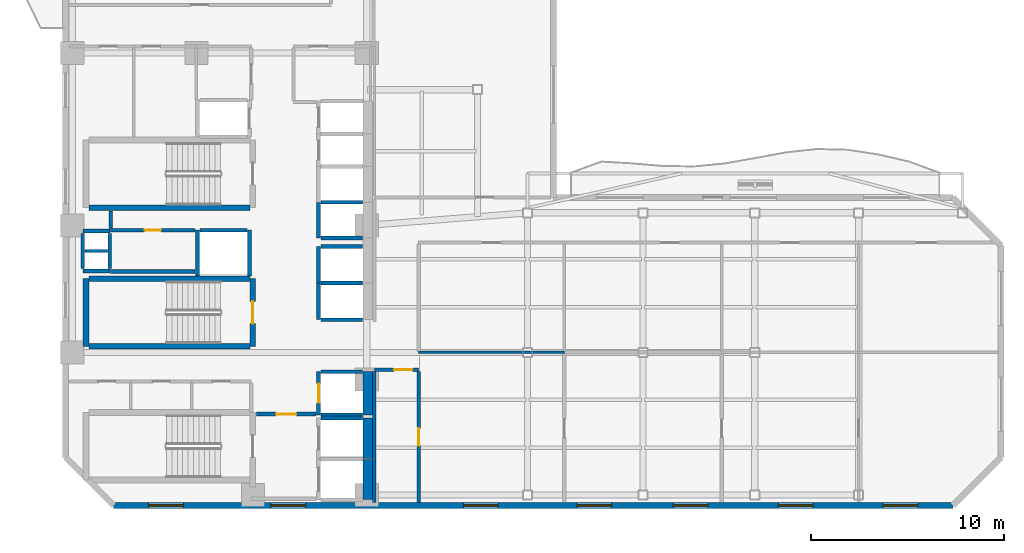
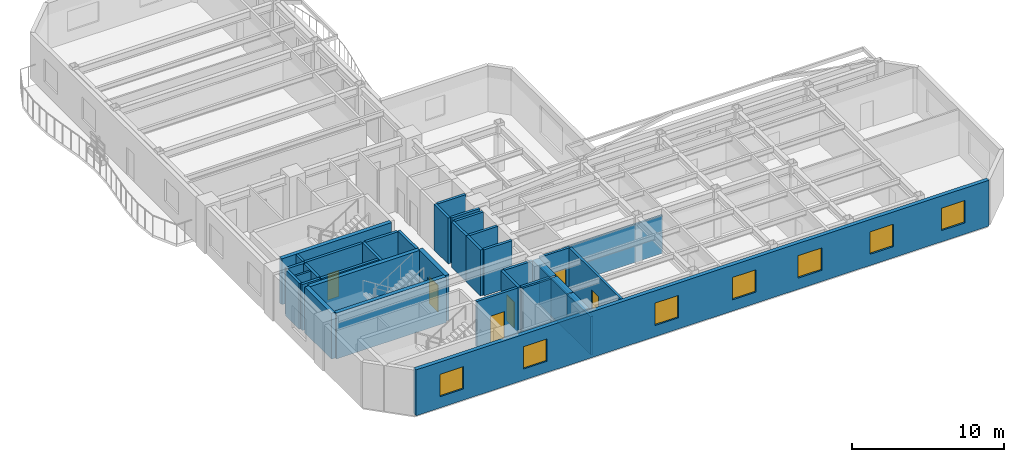
# One storey, part 3 of 9: 37 walls, 7 windows, 6 doors, 13 openings.
"""IFC4 building model written with IfcOpenShell, lengths in metres."""

from ifc_helpers import new_model, si_unit, direction, frame, frame_2d, origin, place, context, subcontext, project, spatial, rectangle, extrude, material, layer, layer_set, type_object, element, fill, save


model = new_model("IFC4")

# Units and contexts
model_context = context("Model", 3, precision=1e-05, world=origin(), true_north=direction((0.0, 1.0)))
body_context = subcontext(model_context, "Body", "Model", "MODEL_VIEW")
ifc_project = project(units=[si_unit("LENGTHUNIT", "METRE"), si_unit("AREAUNIT", "SQUARE_METRE"), si_unit("VOLUMEUNIT", "CUBIC_METRE"), si_unit("PLANEANGLEUNIT", "RADIAN"), si_unit("MASSUNIT", "GRAM", prefix="KILO")], contexts=[model_context])

# Site, building, storey
site_placement = place(None, origin())
site = spatial("IfcSite", under=ifc_project, at=site_placement, CompositionType="ELEMENT")
building_placement = place(site_placement, origin())
building = spatial("IfcBuilding", under=site, at=building_placement, Name="Mawjaban Terraces University", CompositionType="ELEMENT")
storey_placement = place(building_placement, frame((0.0, 0.0, 126.800048828125)))
storey = spatial("IfcBuildingStorey", under=building, at=storey_placement, Name="L30", CompositionType="ELEMENT", Elevation=126.800048828125)

# Wall, opening, door
ifc_material_1 = material(Name="Acoustic masonry blockwork", Category="masonry")
ifc_layer_1 = layer(ifc_material_1, 0.179931640625)
ifc_layer_set_1 = layer_set([ifc_layer_1], Name="Acoustic masonry blockwork")
wall_type_1 = type_object("IfcWallType", Name="AcousticStudioWall_180", PredefinedType="PARTITIONING", material=ifc_layer_set_1)
wall_1_placement = place(storey_placement, frame((38.050048828125, 7.050048828125, 0.0), z_axis=(0.0, 0.0, 1.0), x_axis=(1.0, 0.0, 0.0)))
wall_1 = element("IfcWall", 1, at=wall_1_placement, inside=storey, type_object=wall_type_1, Name="L30 Inner Gallery Link Corridor Partition 15", PredefinedType="PARTITIONING", context=body_context, shape_type="SweptSolid", body=[
    extrude(rectangle(XDim=2.300048828125, YDim=0.179931640625, at=frame_2d((1.14990234375, 0.0))), origin(), (0.0, 0.0, 1.0), 3.68994140625),
])
opening_1_placement = place(wall_1_placement, frame((1.02490234375, 0.0, 0.0)))
opening_1 = element("IfcOpeningElement", 2, at=opening_1_placement, cuts=wall_1, Name="Opening ID-095", PredefinedType="OPENING", context=body_context, shape_type="SweptSolid", body=[
    extrude(rectangle(XDim=0.949951171875, YDim=2.10009765625, at=frame_2d((0.47509765625, 1.050048828125))), frame((0.0, 0.099853515625, 0.0), z_axis=(0.0, -1.0, 0.0), x_axis=(1.0, 0.0, 0.0)), (0.0, 0.0, 1.0), 0.199951171875),
])
ifc_material_2 = material(Name="Powder-coated steel frame and solid acoustic timber leaf", Category="steel")
door_type_1 = type_object("IfcDoorType", Name="StudioDoor_950x2100", OperationType="NOTDEFINED", PredefinedType="DOOR", material=ifc_material_2)
door_1_placement = place(opening_1_placement, origin())
door_1 = element("IfcDoor", 3, at=door_1_placement, inside=storey, type_object=door_type_1, Name="L30 Media Workshop 1 Door", OperationType="SINGLE_SWING_LEFT", OverallHeight=2.10009765625, OverallWidth=0.949951171875, PredefinedType="DOOR", context=body_context, shape_type="SweptSolid", body=[
    extrude(rectangle(XDim=0.949951171875, YDim=2.10009765625, at=frame_2d((0.47509765625, 1.050048828125))), frame((0.0, 0.02490234375, 0.0), z_axis=(0.0, -1.0, 0.0), x_axis=(1.0, 0.0, 0.0)), (0.0, 0.0, 1.0), 0.050048828125),
])
fill(opening_1, door_1)

# Wall
wall_2_placement = place(storey_placement, frame((38.050048828125, 6.965087890625, 0.0), z_axis=(0.0, 0.0, 1.0), x_axis=(0.0, -1.0, 0.0)))
element("IfcWall", 4, at=wall_2_placement, inside=storey, type_object=wall_type_1, Name="L30 Media Workshop 1 Partition 39", PredefinedType="PARTITIONING", context=body_context, shape_type="SweptSolid", body=[
    extrude(rectangle(XDim=6.820068359375, YDim=0.179931640625, at=frame_2d((3.41015625, 0.0))), origin(), (0.0, 0.0, 1.0), 3.073974609375),
])

# Wall, opening, door
wall_3_placement = place(storey_placement, frame((40.35009765625, 0.14501953125, 0.0), z_axis=(0.0, 0.0, 1.0), x_axis=(0.0, 1.0, 0.0)))
wall_3 = element("IfcWall", 5, at=wall_3_placement, inside=storey, type_object=wall_type_1, Name="L30 Media Workshop 1 Partition 42", PredefinedType="PARTITIONING", context=body_context, shape_type="SweptSolid", body=[
    extrude(rectangle(XDim=6.820068359375, YDim=0.179931640625, at=frame_2d((3.41015625, 0.0))), origin(), (0.0, 0.0, 1.0), 3.68994140625),
])
opening_2_placement = place(wall_3_placement, frame((2.9599609375, 0.0, 0.0)))
opening_2 = element("IfcOpeningElement", 6, at=opening_2_placement, cuts=wall_3, Name="Opening ID-090", PredefinedType="OPENING", context=body_context, shape_type="SweptSolid", body=[
    extrude(rectangle(XDim=0.89990234375, YDim=2.10009765625, at=frame_2d((0.449951171875, 1.050048828125))), frame((0.0, 0.099853515625, 0.0), z_axis=(0.0, -1.0, 0.0), x_axis=(1.0, 0.0, 0.0)), (0.0, 0.0, 1.0), 0.199951171875),
])
door_type_2 = type_object("IfcDoorType", Name="OfficeDoor_900x2100", OperationType="NOTDEFINED", PredefinedType="DOOR", material=ifc_material_2)
door_2_placement = place(opening_2_placement, origin())
door_2 = element("IfcDoor", 7, at=door_2_placement, inside=storey, type_object=door_type_2, Name="L30 Quiet Reading Room 2 Door", OperationType="SINGLE_SWING_RIGHT", OverallHeight=2.10009765625, OverallWidth=0.89990234375, PredefinedType="DOOR", context=body_context, shape_type="SweptSolid", body=[
    extrude(rectangle(XDim=0.89990234375, YDim=2.10009765625, at=frame_2d((0.449951171875, 1.050048828125))), frame((0.0, 0.02490234375, 0.0), z_axis=(0.0, -1.0, 0.0), x_axis=(1.0, 0.0, 0.0)), (0.0, 0.0, 1.0), 0.050048828125),
])
fill(opening_2, door_2)

# Walls
ifc_material_3 = material(Name="Concrete C60/75", Category="concrete")
ifc_layer_2 = layer(ifc_material_3, 0.5)
ifc_layer_set_2 = layer_set([ifc_layer_2], Name="Concrete C60/75")
wall_type_2 = type_object("IfcWallType", Name="CoreShearWall_500", PredefinedType="SHEAR", material=ifc_layer_set_2)
wall_4_placement = place(storey_placement, frame((37.699951171875, 0.300048828125, 0.0), z_axis=(0.0, 0.0, 1.0), x_axis=(0.0, 1.0, 0.0)))
element("IfcWall", 8, at=wall_4_placement, inside=storey, type_object=wall_type_2, Name="L30 Lift FL-1 Hoistway Wall East", PredefinedType="SHEAR", context=body_context, shape_type="SweptSolid", body=[
    extrude(rectangle(XDim=2.099853515625, YDim=0.5, at=frame_2d((1.0498046875, 0.0))), origin(), (0.0, 0.0, 1.0), 3.68994140625),
])
wall_5_placement = place(storey_placement, frame((37.699951171875, 2.449951171875, 0.0), z_axis=(0.0, 0.0, 1.0), x_axis=(0.0, 1.0, 0.0)))
element("IfcWall", 9, at=wall_5_placement, inside=storey, type_object=wall_type_2, Name="L30 Lift FL-2 Hoistway Wall East", PredefinedType="SHEAR", context=body_context, shape_type="SweptSolid", body=[
    extrude(rectangle(XDim=2.10009765625, YDim=0.5, at=frame_2d((1.050048828125, 0.0))), origin(), (0.0, 0.0, 1.0), 3.68994140625),
])
wall_6_placement = place(storey_placement, frame((37.699951171875, 4.699951171875, 0.0), z_axis=(0.0, 0.0, 1.0), x_axis=(0.0, 1.0, 0.0)))
element("IfcWall", 10, at=wall_6_placement, inside=storey, type_object=wall_type_2, Name="L30 Lift SL-1 Hoistway Wall East", PredefinedType="SHEAR", context=body_context, shape_type="SweptSolid", body=[
    extrude(rectangle(XDim=2.25, YDim=0.5, at=frame_2d((1.125, 0.0))), origin(), (0.0, 0.0, 1.0), 3.68994140625),
])
ifc_material_4 = material(Name="Fire-rated gypsum board on steel stud", Category="steel")
ifc_layer_3 = layer(ifc_material_4, 0.159912109375)
ifc_layer_set_3 = layer_set([ifc_layer_3], Name="Fire-rated gypsum board on steel stud")
wall_type_3 = type_object("IfcWallType", Name="CorridorPartition_160", PredefinedType="PARTITIONING", material=ifc_layer_set_3)
wall_7_placement = place(storey_placement, frame((24.35009765625, 15.2900390625, 0.0), z_axis=(0.0, 0.0, 1.0), x_axis=(0.0, -1.0, 0.0)))
element("IfcWall", 11, at=wall_7_placement, inside=storey, type_object=wall_type_3, Name="L30 Core Riser Access Passage Partition 26", PredefinedType="PARTITIONING", context=body_context, shape_type="SweptSolid", body=[
    extrude(rectangle(XDim=0.89501953125, YDim=0.159912109375, at=frame_2d((0.447509765625, 0.0))), origin(), (0.0, 0.0, 1.0), 3.68994140625),
])

# Wall, openings, windows
ifc_material_5 = material(Name="Insulated terracotta rainscreen on concrete backup C40/50", Category="masonry")
ifc_layer_4 = layer(ifc_material_5, 0.300048828125)
ifc_layer_set_4 = layer_set([ifc_layer_4], Name="Insulated terracotta rainscreen on concrete backup C40/50")
wall_type_4 = type_object("IfcWallType", Name="ExtTerracottaWall_300", PredefinedType="SOLIDWALL", material=ifc_layer_set_4)
wall_8_placement = place(storey_placement, frame((24.5, 0.0, 0.0), z_axis=(0.0, 0.0, 1.0), x_axis=(1.0, 0.0, 0.0)))
wall_8 = element("IfcWall", 12, at=wall_8_placement, inside=storey, type_object=wall_type_4, Name="L30 Exterior Terracotta Wall 1", PredefinedType="SOLIDWALL", context=body_context, shape_type="SweptSolid", body=[
    extrude(rectangle(XDim=43.60009765625, YDim=0.300048828125, at=frame_2d((21.800048828125, 0.0))), origin(), (0.0, 0.0, 1.0), 3.68994140625),
])
opening_3_placement = place(wall_8_placement, frame((1.824951171875, 0.0, 0.89990234375)))
opening_3 = element("IfcOpeningElement", 13, at=opening_3_placement, cuts=wall_8, Name="Opening W-07", PredefinedType="OPENING", context=body_context, shape_type="SweptSolid", body=[
    extrude(rectangle(XDim=1.800048828125, YDim=1.800048828125, at=frame_2d((0.89990234375, 0.89990234375))), frame((0.0, 0.159912109375, 0.0), z_axis=(0.0, -1.0, 0.0), x_axis=(1.0, 0.0, 0.0)), (0.0, 0.0, 1.0), 0.320068359375),
])
opening_4_placement = place(wall_8_placement, frame((8.175048828125, 0.0, 0.89990234375)))
opening_4 = element("IfcOpeningElement", 14, at=opening_4_placement, cuts=wall_8, Name="Opening W-07", PredefinedType="OPENING", context=body_context, shape_type="SweptSolid", body=[
    extrude(rectangle(XDim=1.800048828125, YDim=1.800048828125, at=frame_2d((0.89990234375, 0.89990234375))), frame((0.0, 0.159912109375, 0.0), z_axis=(0.0, -1.0, 0.0), x_axis=(1.0, 0.0, 0.0)), (0.0, 0.0, 1.0), 0.320068359375),
])
opening_5_placement = place(wall_8_placement, frame((18.175048828125, 0.0, 0.89990234375)))
opening_5 = element("IfcOpeningElement", 15, at=opening_5_placement, cuts=wall_8, Name="Opening W-07", PredefinedType="OPENING", context=body_context, shape_type="SweptSolid", body=[
    extrude(rectangle(XDim=1.800048828125, YDim=1.800048828125, at=frame_2d((0.89990234375, 0.89990234375))), frame((0.0, 0.159912109375, 0.0), z_axis=(0.0, -1.0, 0.0), x_axis=(1.0, 0.0, 0.0)), (0.0, 0.0, 1.0), 0.320068359375),
])
opening_6_placement = place(wall_8_placement, frame((24.074951171875, 0.0, 0.89990234375)))
opening_6 = element("IfcOpeningElement", 16, at=opening_6_placement, cuts=wall_8, Name="Opening W-07", PredefinedType="OPENING", context=body_context, shape_type="SweptSolid", body=[
    extrude(rectangle(XDim=1.800048828125, YDim=1.800048828125, at=frame_2d((0.89990234375, 0.89990234375))), frame((0.0, 0.159912109375, 0.0), z_axis=(0.0, -1.0, 0.0), x_axis=(1.0, 0.0, 0.0)), (0.0, 0.0, 1.0), 0.320068359375),
])
opening_7_placement = place(wall_8_placement, frame((29.074951171875, 0.0, 0.89990234375)))
opening_7 = element("IfcOpeningElement", 17, at=opening_7_placement, cuts=wall_8, Name="Opening W-07", PredefinedType="OPENING", context=body_context, shape_type="SweptSolid", body=[
    extrude(rectangle(XDim=1.800048828125, YDim=1.800048828125, at=frame_2d((0.89990234375, 0.89990234375))), frame((0.0, 0.159912109375, 0.0), z_axis=(0.0, -1.0, 0.0), x_axis=(1.0, 0.0, 0.0)), (0.0, 0.0, 1.0), 0.320068359375),
])
opening_8_placement = place(wall_8_placement, frame((34.52490234375, 0.0, 0.89990234375)))
opening_8 = element("IfcOpeningElement", 18, at=opening_8_placement, cuts=wall_8, Name="Opening W-07", PredefinedType="OPENING", context=body_context, shape_type="SweptSolid", body=[
    extrude(rectangle(XDim=1.800048828125, YDim=1.800048828125, at=frame_2d((0.89990234375, 0.89990234375))), frame((0.0, 0.159912109375, 0.0), z_axis=(0.0, -1.0, 0.0), x_axis=(1.0, 0.0, 0.0)), (0.0, 0.0, 1.0), 0.320068359375),
])
opening_9_placement = place(wall_8_placement, frame((39.97509765625, 0.0, 0.89990234375)))
opening_9 = element("IfcOpeningElement", 19, at=opening_9_placement, cuts=wall_8, Name="Opening W-07", PredefinedType="OPENING", context=body_context, shape_type="SweptSolid", body=[
    extrude(rectangle(XDim=1.800048828125, YDim=1.800048828125, at=frame_2d((0.89990234375, 0.89990234375))), frame((0.0, 0.159912109375, 0.0), z_axis=(0.0, -1.0, 0.0), x_axis=(1.0, 0.0, 0.0)), (0.0, 0.0, 1.0), 0.320068359375),
])
ifc_material_6 = material(Name="Low-E solar-control double glazing in thermally broken aluminium frame", Category="aluminium")
window_type = type_object("IfcWindowType", Name="Win_1800x1800", PartitioningType="SINGLE_PANEL", PredefinedType="WINDOW", material=ifc_material_6)
window_1_placement = place(opening_3_placement, origin())
window_1 = element("IfcWindow", 20, at=window_1_placement, inside=storey, type_object=window_type, Name="L30 Facade Window 1.1", OverallHeight=1.800048828125, OverallWidth=1.800048828125, PartitioningType="SINGLE_PANEL", PredefinedType="WINDOW", context=body_context, shape_type="SweptSolid", body=[
    extrude(rectangle(XDim=1.800048828125, YDim=1.800048828125, at=frame_2d((0.89990234375, 0.89990234375))), frame((0.0, 0.030029296875, 0.0), z_axis=(0.0, -1.0, 0.0), x_axis=(1.0, 0.0, 0.0)), (0.0, 0.0, 1.0), 0.06005859375),
])
fill(opening_3, window_1)
window_2_placement = place(opening_4_placement, origin())
window_2 = element("IfcWindow", 21, at=window_2_placement, inside=storey, type_object=window_type, Name="L30 Facade Window 1.2", OverallHeight=1.800048828125, OverallWidth=1.800048828125, PartitioningType="SINGLE_PANEL", PredefinedType="WINDOW", context=body_context, shape_type="SweptSolid", body=[
    extrude(rectangle(XDim=1.800048828125, YDim=1.800048828125, at=frame_2d((0.89990234375, 0.89990234375))), frame((0.0, 0.030029296875, 0.0), z_axis=(0.0, -1.0, 0.0), x_axis=(1.0, 0.0, 0.0)), (0.0, 0.0, 1.0), 0.06005859375),
])
fill(opening_4, window_2)
window_3_placement = place(opening_5_placement, origin())
window_3 = element("IfcWindow", 22, at=window_3_placement, inside=storey, type_object=window_type, Name="L30 Facade Window 1.4", OverallHeight=1.800048828125, OverallWidth=1.800048828125, PartitioningType="SINGLE_PANEL", PredefinedType="WINDOW", context=body_context, shape_type="SweptSolid", body=[
    extrude(rectangle(XDim=1.800048828125, YDim=1.800048828125, at=frame_2d((0.89990234375, 0.89990234375))), frame((0.0, 0.030029296875, 0.0), z_axis=(0.0, -1.0, 0.0), x_axis=(1.0, 0.0, 0.0)), (0.0, 0.0, 1.0), 0.06005859375),
])
fill(opening_5, window_3)
window_4_placement = place(opening_6_placement, origin())
window_4 = element("IfcWindow", 23, at=window_4_placement, inside=storey, type_object=window_type, Name="L30 Facade Window 1.5", OverallHeight=1.800048828125, OverallWidth=1.800048828125, PartitioningType="SINGLE_PANEL", PredefinedType="WINDOW", context=body_context, shape_type="SweptSolid", body=[
    extrude(rectangle(XDim=1.800048828125, YDim=1.800048828125, at=frame_2d((0.89990234375, 0.89990234375))), frame((0.0, 0.030029296875, 0.0), z_axis=(0.0, -1.0, 0.0), x_axis=(1.0, 0.0, 0.0)), (0.0, 0.0, 1.0), 0.06005859375),
])
fill(opening_6, window_4)
window_5_placement = place(opening_7_placement, origin())
window_5 = element("IfcWindow", 24, at=window_5_placement, inside=storey, type_object=window_type, Name="L30 Facade Window 1.6", OverallHeight=1.800048828125, OverallWidth=1.800048828125, PartitioningType="SINGLE_PANEL", PredefinedType="WINDOW", context=body_context, shape_type="SweptSolid", body=[
    extrude(rectangle(XDim=1.800048828125, YDim=1.800048828125, at=frame_2d((0.89990234375, 0.89990234375))), frame((0.0, 0.030029296875, 0.0), z_axis=(0.0, -1.0, 0.0), x_axis=(1.0, 0.0, 0.0)), (0.0, 0.0, 1.0), 0.06005859375),
])
fill(opening_7, window_5)
window_6_placement = place(opening_8_placement, origin())
window_6 = element("IfcWindow", 25, at=window_6_placement, inside=storey, type_object=window_type, Name="L30 Facade Window 1.7", OverallHeight=1.800048828125, OverallWidth=1.800048828125, PartitioningType="SINGLE_PANEL", PredefinedType="WINDOW", context=body_context, shape_type="SweptSolid", body=[
    extrude(rectangle(XDim=1.800048828125, YDim=1.800048828125, at=frame_2d((0.89990234375, 0.89990234375))), frame((0.0, 0.030029296875, 0.0), z_axis=(0.0, -1.0, 0.0), x_axis=(1.0, 0.0, 0.0)), (0.0, 0.0, 1.0), 0.06005859375),
])
fill(opening_8, window_6)
window_7_placement = place(opening_9_placement, origin())
window_7 = element("IfcWindow", 26, at=window_7_placement, inside=storey, type_object=window_type, Name="L30 Facade Window 1.8", OverallHeight=1.800048828125, OverallWidth=1.800048828125, PartitioningType="SINGLE_PANEL", PredefinedType="WINDOW", context=body_context, shape_type="SweptSolid", body=[
    extrude(rectangle(XDim=1.800048828125, YDim=1.800048828125, at=frame_2d((0.89990234375, 0.89990234375))), frame((0.0, 0.030029296875, 0.0), z_axis=(0.0, -1.0, 0.0), x_axis=(1.0, 0.0, 0.0)), (0.0, 0.0, 1.0), 0.06005859375),
])
fill(opening_9, window_7)

# Wall
ifc_material_7 = material(Name="Concrete C40/50", Category="concrete")
ifc_layer_5 = layer(ifc_material_7, 0.199951171875)
ifc_layer_set_5 = layer_set([ifc_layer_5], Name="Concrete C40/50")
wall_type_5 = type_object("IfcWallType", Name="FireLobbyWall_200", PredefinedType="SOLIDWALL", material=ifc_layer_set_5)
wall_9_placement = place(storey_placement, frame((37.419921875, 4.550048828125, 0.0), z_axis=(0.0, 0.0, 1.0), x_axis=(-1.0, 0.0, 0.0)))
element("IfcWall", 27, at=wall_9_placement, inside=storey, type_object=wall_type_5, Name="L30 Lift FL-2 Hoistway Wall North", PredefinedType="SOLIDWALL", context=body_context, shape_type="SweptSolid", body=[
    extrude(rectangle(XDim=2.139892578125, YDim=0.199951171875, at=frame_2d((1.06982421875, 0.0))), origin(), (0.0, 0.0, 1.0), 3.68994140625),
])

# Wall, opening, door
wall_10_placement = place(storey_placement, frame((35.14990234375, 6.949951171875, 0.0), z_axis=(0.0, 0.0, 1.0), x_axis=(0.0, -1.0, 0.0)))
wall_10 = element("IfcWall", 28, at=wall_10_placement, inside=storey, type_object=wall_type_5, Name="L30 Lift SL-1 Hoistway Wall West", PredefinedType="SOLIDWALL", context=body_context, shape_type="SweptSolid", body=[
    extrude(rectangle(XDim=2.25, YDim=0.199951171875, at=frame_2d((1.125, 0.0))), origin(), (0.0, 0.0, 1.0), 3.68994140625),
])
opening_10_placement = place(wall_10_placement, frame((0.625, 0.0, 0.0)))
opening_10 = element("IfcOpeningElement", 29, at=opening_10_placement, cuts=wall_10, Name="Opening LD-SL-1", PredefinedType="OPENING", context=body_context, shape_type="SweptSolid", body=[
    extrude(rectangle(XDim=1.0, YDim=2.10009765625, at=frame_2d((0.5, 1.050048828125))), frame((0.0, 0.10986328125, 0.0), z_axis=(0.0, -1.0, 0.0), x_axis=(1.0, 0.0, 0.0)), (0.0, 0.0, 1.0), 0.219970703125),
])
ifc_material_8 = material(Name="Powder-coated steel frame and fire-rated steel-faced leaf", Category="steel")
door_type_3 = type_object("IfcDoorType", Name="LiftLandingSliding_1000x2100", OperationType="NOTDEFINED", PredefinedType="DOOR", material=ifc_material_8)
door_3_placement = place(opening_10_placement, origin())
door_3 = element("IfcDoor", 30, at=door_3_placement, inside=storey, type_object=door_type_3, Name="L30 Lift SL-1 Sliding Landing Door", OperationType="DOUBLE_DOOR_SLIDING", OverallHeight=2.10009765625, OverallWidth=1.0, PredefinedType="DOOR", context=body_context, shape_type="SweptSolid", body=[
    extrude(rectangle(XDim=1.0, YDim=2.10009765625, at=frame_2d((0.5, 1.050048828125))), frame((0.0, 0.02490234375, 0.0), z_axis=(0.0, -1.0, 0.0), x_axis=(1.0, 0.0, 0.0)), (0.0, 0.0, 1.0), 0.050048828125),
])
fill(opening_10, door_3)

# Walls
for number, where, z_axis, x_axis, name in (
    (31, (35.280029296875, 4.699951171875, 0.0), (0.0, 0.0, 1.0), (1.0, 0.0, 0.0), "L30 Lift SL-1 Hoistway Wall South"),
    (32, (37.419921875, 6.949951171875, 0.0), (0.0, 0.0, 1.0), (-1.0, 0.0, 0.0), "L30 Lift SL-1 Hoistway Wall North"),
):
    element("IfcWall", number, at=place(storey_placement, frame(where, z_axis=z_axis, x_axis=x_axis)), inside=storey, type_object=wall_type_5, Name=name, PredefinedType="SOLIDWALL", context=body_context, shape_type="SweptSolid", body=[
        extrude(rectangle(XDim=2.139892578125, YDim=0.199951171875, at=frame_2d((1.06982421875, 0.0))), origin(), (0.0, 0.0, 1.0), 3.68994140625),
    ])
wall_11_placement = place(storey_placement, frame((35.14990234375, 11.550048828125, 0.0), z_axis=(0.0, 0.0, 1.0), x_axis=(0.0, -1.0, 0.0)))
element("IfcWall", 33, at=wall_11_placement, inside=storey, type_object=wall_type_5, Name="L30 Lift PL-H1 Hoistway Wall West", PredefinedType="SOLIDWALL", context=body_context, shape_type="SweptSolid", body=[
    extrude(rectangle(XDim=1.900146484375, YDim=0.199951171875, at=frame_2d((0.9501953125, 0.0))), origin(), (0.0, 0.0, 1.0), 3.68994140625),
])
for number, where, z_axis, x_axis, name in (
    (34, (35.280029296875, 9.64990234375, 0.0), (0.0, 0.0, 1.0), (1.0, 0.0, 0.0), "L30 Lift PL-H1 Hoistway Wall South"),
    (35, (37.419921875, 11.550048828125, 0.0), (0.0, 0.0, 1.0), (-1.0, 0.0, 0.0), "L30 Lift PL-H1 Hoistway Wall North"),
):
    element("IfcWall", number, at=place(storey_placement, frame(where, z_axis=z_axis, x_axis=x_axis)), inside=storey, type_object=wall_type_5, Name=name, PredefinedType="SOLIDWALL", context=body_context, shape_type="SweptSolid", body=[
        extrude(rectangle(XDim=2.139892578125, YDim=0.199951171875, at=frame_2d((1.06982421875, 0.0))), origin(), (0.0, 0.0, 1.0), 3.68994140625),
    ])
wall_12_placement = place(storey_placement, frame((35.14990234375, 13.449951171875, 0.0), z_axis=(0.0, 0.0, 1.0), x_axis=(0.0, -1.0, 0.0)))
element("IfcWall", 36, at=wall_12_placement, inside=storey, type_object=wall_type_5, Name="L30 Lift PL-H2 Hoistway Wall West", PredefinedType="SOLIDWALL", context=body_context, shape_type="SweptSolid", body=[
    extrude(rectangle(XDim=1.89990234375, YDim=0.199951171875, at=frame_2d((0.949951171875, 0.0))), origin(), (0.0, 0.0, 1.0), 3.68994140625),
])
wall_13_placement = place(storey_placement, frame((37.419921875, 13.449951171875, 0.0), z_axis=(0.0, 0.0, 1.0), x_axis=(-1.0, 0.0, 0.0)))
element("IfcWall", 37, at=wall_13_placement, inside=storey, type_object=wall_type_5, Name="L30 Lift PL-H2 Hoistway Wall North", PredefinedType="SOLIDWALL", context=body_context, shape_type="SweptSolid", body=[
    extrude(rectangle(XDim=2.139892578125, YDim=0.199951171875, at=frame_2d((1.06982421875, 0.0))), origin(), (0.0, 0.0, 1.0), 3.68994140625),
])
for number, where, z_axis, x_axis, name in (
    (38, (28.85009765625, 14.300048828125, 0.0), (0.0, 0.0, 1.0), (0.0, -1.0, 0.0), "L30 Lift PL-H3 Hoistway Wall West"),
    (39, (31.550048828125, 11.929931640625, 0.0), (0.0, 0.0, 1.0), (0.0, 1.0, 0.0), "L30 Lift PL-H3 Hoistway Wall East"),
):
    element("IfcWall", number, at=place(storey_placement, frame(where, z_axis=z_axis, x_axis=x_axis)), inside=storey, type_object=wall_type_5, Name=name, PredefinedType="SOLIDWALL", context=body_context, shape_type="SweptSolid", body=[
        extrude(rectangle(XDim=2.3701171875, YDim=0.199951171875, at=frame_2d((1.18505859375, 0.0))), origin(), (0.0, 0.0, 1.0), 3.68994140625),
    ])
wall_14_placement = place(storey_placement, frame((31.419921875, 14.300048828125, 0.0), z_axis=(0.0, 0.0, 1.0), x_axis=(-1.0, 0.0, 0.0)))
element("IfcWall", 40, at=wall_14_placement, inside=storey, type_object=wall_type_5, Name="L30 Lift PL-H3 Hoistway Wall North", PredefinedType="SOLIDWALL", context=body_context, shape_type="SweptSolid", body=[
    extrude(rectangle(XDim=2.43994140625, YDim=0.199951171875, at=frame_2d((1.219970703125, 0.0))), origin(), (0.0, 0.0, 1.0), 3.68994140625),
])
wall_15_placement = place(storey_placement, frame((35.14990234375, 15.75, 0.0), z_axis=(0.0, 0.0, 1.0), x_axis=(0.0, -1.0, 0.0)))
element("IfcWall", 41, at=wall_15_placement, inside=storey, type_object=wall_type_5, Name="L30 Lift OL-1 Hoistway Wall West", PredefinedType="SOLIDWALL", context=body_context, shape_type="SweptSolid", body=[
    extrude(rectangle(XDim=1.85009765625, YDim=0.199951171875, at=frame_2d((0.925048828125, 0.0))), origin(), (0.0, 0.0, 1.0), 3.68994140625),
])
for number, where, z_axis, x_axis, name in (
    (42, (35.280029296875, 13.89990234375, 0.0), (0.0, 0.0, 1.0), (1.0, 0.0, 0.0), "L30 Lift OL-1 Hoistway Wall South"),
    (43, (37.419921875, 15.75, 0.0), (0.0, 0.0, 1.0), (-1.0, 0.0, 0.0), "L30 Lift OL-1 Hoistway Wall North"),
):
    element("IfcWall", number, at=place(storey_placement, frame(where, z_axis=z_axis, x_axis=x_axis)), inside=storey, type_object=wall_type_5, Name=name, PredefinedType="SOLIDWALL", context=body_context, shape_type="SweptSolid", body=[
        extrude(rectangle(XDim=2.139892578125, YDim=0.199951171875, at=frame_2d((1.06982421875, 0.0))), origin(), (0.0, 0.0, 1.0), 3.68994140625),
    ])
for number, where, z_axis, x_axis, name in (
    (44, (22.89990234375, 14.25, 0.0), (0.0, 0.0, 1.0), (1.0, 0.0, 0.0), "L30 MEP Riser Shaft Wall N"),
    (45, (22.89990234375, 12.179931640625, 0.0), (0.0, 0.0, 1.0), (1.0, 0.0, 0.0), "L30 MEP Riser Shaft Wall S"),
):
    element("IfcWall", number, at=place(storey_placement, frame(where, z_axis=z_axis, x_axis=x_axis)), inside=storey, type_object=wall_type_5, Name=name, PredefinedType="SOLIDWALL", context=body_context, shape_type="SweptSolid", body=[
        extrude(rectangle(XDim=1.400146484375, YDim=0.199951171875, at=frame_2d((0.7001953125, 0.0))), origin(), (0.0, 0.0, 1.0), 3.68994140625),
    ])
for number, where, z_axis, x_axis, name in (
    (46, (24.300048828125, 12.300048828125, 0.0), (0.0, 0.0, 1.0), (0.0, 1.0, 0.0), "L30 MEP Riser Shaft Wall E"),
    (47, (22.89990234375, 12.300048828125, 0.0), (0.0, 0.0, 1.0), (0.0, 1.0, 0.0), "L30 MEP Riser Shaft Wall W"),
):
    element("IfcWall", number, at=place(storey_placement, frame(where, z_axis=z_axis, x_axis=x_axis)), inside=storey, type_object=wall_type_5, Name=name, PredefinedType="SOLIDWALL", context=body_context, shape_type="SweptSolid", body=[
        extrude(rectangle(XDim=1.829833984375, YDim=0.199951171875, at=frame_2d((0.9150390625, 0.0))), origin(), (0.0, 0.0, 1.0), 3.68994140625),
    ])
wall_16_placement = place(storey_placement, frame((24.35009765625, 12.14990234375, 0.0), z_axis=(0.0, 0.0, 1.0), x_axis=(1.0, 0.0, 0.0)))
element("IfcWall", 48, at=wall_16_placement, inside=storey, type_object=wall_type_5, Name="L30 IT and Telecoms Riser Room Partition 2", PredefinedType="SOLIDWALL", context=body_context, shape_type="SweptSolid", body=[
    extrude(rectangle(XDim=4.369873046875, YDim=0.199951171875, at=frame_2d((2.18505859375, 0.0))), origin(), (0.0, 0.0, 1.0), 3.68994140625),
])

# Wall, opening, door
wall_17_placement = place(storey_placement, frame((24.35009765625, 14.300048828125, 0.0), z_axis=(0.0, 0.0, 1.0), x_axis=(1.0, 0.0, 0.0)))
wall_17 = element("IfcWall", 49, at=wall_17_placement, inside=storey, type_object=wall_type_5, Name="L30 Core Riser Access Passage Partition 3", PredefinedType="SOLIDWALL", context=body_context, shape_type="SweptSolid", body=[
    extrude(rectangle(XDim=4.369873046875, YDim=0.199951171875, at=frame_2d((2.18505859375, 0.0))), origin(), (0.0, 0.0, 1.0), 3.68994140625),
])
opening_11_placement = place(wall_17_placement, frame((1.760009765625, 0.0, 0.0)))
opening_11 = element("IfcOpeningElement", 50, at=opening_11_placement, cuts=wall_17, Name="Opening FD-085", PredefinedType="OPENING", context=body_context, shape_type="SweptSolid", body=[
    extrude(rectangle(XDim=0.85009765625, YDim=2.10009765625, at=frame_2d((0.425048828125, 1.050048828125))), frame((0.0, 0.10986328125, 0.0), z_axis=(0.0, -1.0, 0.0), x_axis=(1.0, 0.0, 0.0)), (0.0, 0.0, 1.0), 0.219970703125),
])
door_type_4 = type_object("IfcDoorType", Name="FireRiserDoor_850x2100", OperationType="NOTDEFINED", PredefinedType="DOOR", material=ifc_material_8)
door_4_placement = place(opening_11_placement, origin())
door_4 = element("IfcDoor", 51, at=door_4_placement, inside=storey, type_object=door_type_4, Name="L30 IT and Telecoms Riser Room Door", OperationType="SINGLE_SWING_RIGHT", OverallHeight=2.10009765625, OverallWidth=0.85009765625, PredefinedType="DOOR", context=body_context, shape_type="SweptSolid", body=[
    extrude(rectangle(XDim=0.85009765625, YDim=2.10009765625, at=frame_2d((0.425048828125, 1.050048828125))), frame((0.0, 0.02490234375, 0.0), z_axis=(0.0, -1.0, 0.0), x_axis=(1.0, 0.0, 0.0)), (0.0, 0.0, 1.0), 0.050048828125),
])
fill(opening_11, door_4)

wall_18_placement = place(storey_placement, frame((35.02001953125, 4.75, 0.0), z_axis=(0.0, 0.0, 1.0), x_axis=(-1.0, 0.0, 0.0)))
wall_18 = element("IfcWall", 52, at=wall_18_placement, inside=storey, type_object=wall_type_5, Name="L30 Firefighting Lift Lobby Partition 10", PredefinedType="SOLIDWALL", context=body_context, shape_type="SweptSolid", body=[
    extrude(rectangle(XDim=3.110107421875, YDim=0.199951171875, at=frame_2d((1.55517578125, 0.0))), origin(), (0.0, 0.0, 1.0), 3.68994140625),
])
opening_12_placement = place(wall_18_placement, frame((1.030029296875, 0.0, 0.0)))
opening_12 = element("IfcOpeningElement", 53, at=opening_12_placement, cuts=wall_18, Name="Opening FD-105", PredefinedType="OPENING", context=body_context, shape_type="SweptSolid", body=[
    extrude(rectangle(XDim=1.050048828125, YDim=2.14990234375, at=frame_2d((0.52490234375, 1.074951171875))), frame((0.0, 0.10986328125, 0.0), z_axis=(0.0, -1.0, 0.0), x_axis=(1.0, 0.0, 0.0)), (0.0, 0.0, 1.0), 0.219970703125),
])
door_type_5 = type_object("IfcDoorType", Name="FireLobbyDoor_1050x2150", OperationType="NOTDEFINED", PredefinedType="DOOR", material=ifc_material_8)
door_5_placement = place(opening_12_placement, origin())
door_5 = element("IfcDoor", 54, at=door_5_placement, inside=storey, type_object=door_type_5, Name="L30 Firefighting Lift Lobby Door", OperationType="SINGLE_SWING_RIGHT", OverallHeight=2.14990234375, OverallWidth=1.050048828125, PredefinedType="DOOR", context=body_context, shape_type="SweptSolid", body=[
    extrude(rectangle(XDim=1.050048828125, YDim=2.14990234375, at=frame_2d((0.52490234375, 1.074951171875))), frame((0.0, 0.02490234375, 0.0), z_axis=(0.0, -1.0, 0.0), x_axis=(1.0, 0.0, 0.0)), (0.0, 0.0, 1.0), 0.050048828125),
])
fill(opening_12, door_5)

# Walls
ifc_material_9 = material(Name="Moisture-resistant gypsum board on steel stud", Category="steel")
ifc_layer_6 = layer(ifc_material_9, 0.14501953125)
ifc_layer_set_6 = layer_set([ifc_layer_6], Name="Moisture-resistant gypsum board on steel stud")
wall_type_6 = type_object("IfcWallType", Name="LabPartition_145", PredefinedType="PARTITIONING", material=ifc_layer_set_6)
wall_19_placement = place(storey_placement, frame((23.010009765625, 13.22509765625, 0.0), z_axis=(0.0, 0.0, 1.0), x_axis=(1.0, 0.0, 0.0)))
element("IfcWall", 55, at=wall_19_placement, inside=storey, type_object=wall_type_6, Name="L30 MEP Riser Shaft Wall M", PredefinedType="PARTITIONING", context=body_context, shape_type="SweptSolid", body=[
    extrude(rectangle(XDim=1.179931640625, YDim=0.14501953125, at=frame_2d((0.58984375, 0.0))), origin(), (0.0, 0.0, 1.0), 3.68994140625),
])
ifc_material_10 = material(Name="Gypsum plasterboard on steel stud", Category="steel")
ifc_layer_7 = layer(ifc_material_10, 0.125)
ifc_layer_set_7 = layer_set([ifc_layer_7], Name="Gypsum plasterboard on steel stud")
wall_type_7 = type_object("IfcWallType", Name="OfficePartition_125", PredefinedType="PARTITIONING", material=ifc_layer_set_7)
wall_20_placement = place(storey_placement, frame((47.909912109375, 7.949951171875, 0.0), z_axis=(0.0, 0.0, 1.0), x_axis=(-1.0, 0.0, 0.0)))
element("IfcWall", 56, at=wall_20_placement, inside=storey, type_object=wall_type_7, Name="L30 Quiet Reading Room 2 Partition 19", PredefinedType="PARTITIONING", context=body_context, shape_type="SweptSolid", body=[
    extrude(rectangle(XDim=7.559814453125, YDim=0.125, at=frame_2d((3.77978515625, 0.0))), origin(), (0.0, 0.0, 1.0), 3.073974609375),
])
ifc_layer_8 = layer(ifc_material_3, 0.300048828125)
ifc_layer_set_8 = layer_set([ifc_layer_8], Name="Concrete C60/75")
wall_type_8 = type_object("IfcWallType", Name="StairShaftWall_300", PredefinedType="SHEAR", material=ifc_layer_set_8)
for number, where, z_axis, x_axis, name in (
    (57, (23.219970703125, 15.469970703125, 0.0), (0.0, 0.0, 1.0), (1.0, 0.0, 0.0), "L30 ST-2 Stair Shaft Wall 3"),
    (58, (31.580078125, 11.780029296875, 0.0), (0.0, 0.0, 1.0), (-1.0, 0.0, 0.0), "L30 ST-3 Stair Shaft Wall 1"),
):
    element("IfcWall", number, at=place(storey_placement, frame(where, z_axis=z_axis, x_axis=x_axis)), inside=storey, type_object=wall_type_8, Name=name, PredefinedType="SHEAR", context=body_context, shape_type="SweptSolid", body=[
        extrude(rectangle(XDim=8.360107421875, YDim=0.300048828125, at=frame_2d((4.18017578125, 0.0))), origin(), (0.0, 0.0, 1.0), 3.68994140625),
    ])
wall_21_placement = place(storey_placement, frame((23.070068359375, 11.780029296875, 0.0), z_axis=(0.0, 0.0, 1.0), x_axis=(0.0, -1.0, 0.0)))
element("IfcWall", 59, at=wall_21_placement, inside=storey, type_object=wall_type_8, Name="L30 ST-3 Stair Shaft Wall 2", PredefinedType="SHEAR", context=body_context, shape_type="SweptSolid", body=[
    extrude(rectangle(XDim=3.510009765625, YDim=0.300048828125, at=frame_2d((1.7548828125, 0.0))), origin(), (0.0, 0.0, 1.0), 3.68994140625),
])
wall_22_placement = place(storey_placement, frame((23.219970703125, 8.27001953125, 0.0), z_axis=(0.0, 0.0, 1.0), x_axis=(1.0, 0.0, 0.0)))
element("IfcWall", 60, at=wall_22_placement, inside=storey, type_object=wall_type_8, Name="L30 ST-3 Stair Shaft Wall 3", PredefinedType="SHEAR", context=body_context, shape_type="SweptSolid", body=[
    extrude(rectangle(XDim=8.360107421875, YDim=0.300048828125, at=frame_2d((4.18017578125, 0.0))), origin(), (0.0, 0.0, 1.0), 3.68994140625),
])

# Wall, opening, door
wall_23_placement = place(storey_placement, frame((31.72998046875, 8.27001953125, 0.0), z_axis=(0.0, 0.0, 1.0), x_axis=(0.0, 1.0, 0.0)))
wall_23 = element("IfcWall", 61, at=wall_23_placement, inside=storey, type_object=wall_type_8, Name="L30 ST-3 Stair Shaft Wall 4", PredefinedType="SHEAR", context=body_context, shape_type="SweptSolid", body=[
    extrude(rectangle(XDim=3.510009765625, YDim=0.300048828125, at=frame_2d((1.7548828125, 0.0))), origin(), (0.0, 0.0, 1.0), 3.68994140625),
])
opening_13_placement = place(wall_23_placement, frame((1.179931640625, 0.0, 0.0)))
opening_13 = element("IfcOpeningElement", 62, at=opening_13_placement, cuts=wall_23, Name="Opening FD-115", PredefinedType="OPENING", context=body_context, shape_type="SweptSolid", body=[
    extrude(rectangle(XDim=1.14990234375, YDim=2.14990234375, at=frame_2d((0.574951171875, 1.074951171875))), frame((0.0, 0.159912109375, 0.0), z_axis=(0.0, -1.0, 0.0), x_axis=(1.0, 0.0, 0.0)), (0.0, 0.0, 1.0), 0.320068359375),
])
door_type_6 = type_object("IfcDoorType", Name="FireStairDoor_1150x2150", OperationType="NOTDEFINED", PredefinedType="DOOR", material=ifc_material_8)
door_6_placement = place(opening_13_placement, origin())
door_6 = element("IfcDoor", 63, at=door_6_placement, inside=storey, type_object=door_type_6, Name="L30 ST-3 Pressurised Stair Fire Door", OperationType="SINGLE_SWING_LEFT", OverallHeight=2.14990234375, OverallWidth=1.14990234375, PredefinedType="DOOR", context=body_context, shape_type="SweptSolid", body=[
    extrude(rectangle(XDim=1.14990234375, YDim=2.14990234375, at=frame_2d((0.574951171875, 1.074951171875))), frame((0.0, 0.02490234375, 0.0), z_axis=(0.0, -1.0, 0.0), x_axis=(1.0, 0.0, 0.0)), (0.0, 0.0, 1.0), 0.050048828125),
])
fill(opening_13, door_6)

save(model, "model.ifc")
